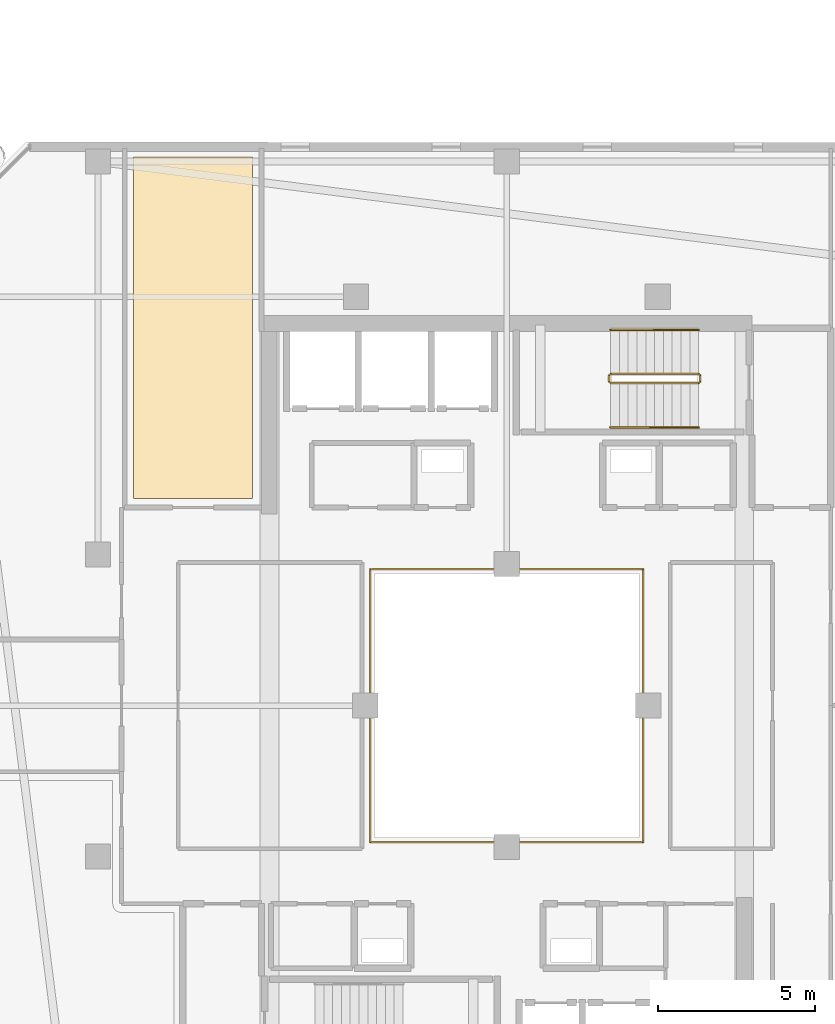
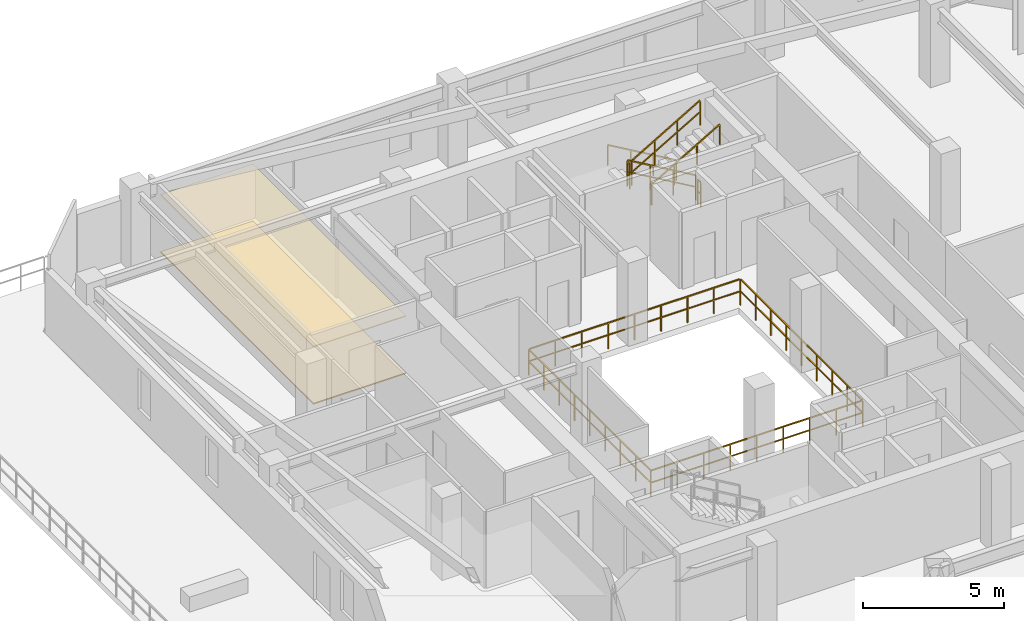
# One storey, part 29 of 31: 7 railings, 2 coverings.
"""IFC4 building model written with IfcOpenShell, lengths in metres."""

from ifc_helpers import new_model, si_unit, direction, frame, origin, origin_2d, place, context, subcontext, project, spatial, polyline, rectangle, outline, extrude, material, layer, layer_set, type_object, element, save


model = new_model("IFC4")

# Units and contexts
model_context = context("Model", 3, precision=1e-05, world=origin(), true_north=direction((0.0, 1.0)))
body_context = subcontext(model_context, "Body", "Model", "MODEL_VIEW")
ifc_project = project(units=[si_unit("LENGTHUNIT", "METRE"), si_unit("AREAUNIT", "SQUARE_METRE"), si_unit("VOLUMEUNIT", "CUBIC_METRE"), si_unit("PLANEANGLEUNIT", "RADIAN"), si_unit("MASSUNIT", "GRAM", prefix="KILO")], contexts=[model_context])

# Site, building, storey
site_placement = place(None, origin())
site = spatial("IfcSite", under=ifc_project, at=site_placement, CompositionType="ELEMENT")
building_placement = place(site_placement, origin())
building = spatial("IfcBuilding", under=site, at=building_placement, Name="Thornwick Lancets Civic Towers", CompositionType="ELEMENT")
storey_placement = place(building_placement, frame((0.0, 0.0, 254.699951171875)))
storey = spatial("IfcBuildingStorey", under=building, at=storey_placement, Name="L68", CompositionType="ELEMENT", Elevation=254.699951171875)

# Coverings
ifc_material_1 = material(Name="Perforated mineral acoustic ceiling tile")
ifc_layer_1 = layer(ifc_material_1, 0.0400390625, Name="Perforated mineral acoustic ceiling tile")
ifc_layer_set_1 = layer_set([ifc_layer_1], Name="Perforated mineral acoustic ceiling tile")
covering_type_1 = type_object("IfcCoveringType", Name="COV_CEIL_ACOUSTIC", PredefinedType="CEILING", material=ifc_layer_set_1)
covering_1_placement = place(storey_placement, frame((0.0, 0.0, 2.485107421875)))
element("IfcCovering", 1, at=covering_1_placement, inside=storey, type_object=covering_type_1, Name="L68 Tower A Diplomatic Conference Suite Ceiling", PredefinedType="CEILING", context=body_context, shape_type="SweptSolid", body=[
    extrude(outline(polyline([(13.6298828125, 33.580078125), (13.6298828125, 44.43994140625), (17.419921875, 44.43994140625), (17.419921875, 33.580078125), (13.6298828125, 33.580078125)])), origin(), (0.0, 0.0, 1.0), 0.0400390625),
])
ifc_material_2 = material(Name="Calcium-sulfate raised access floor panel")
ifc_layer_2 = layer(ifc_material_2, 0.050048828125, Name="Calcium-sulfate raised access floor panel")
ifc_layer_set_2 = layer_set([ifc_layer_2], Name="Calcium-sulfate raised access floor panel")
covering_type_2 = type_object("IfcCoveringType", Name="COV_FLOOR_RAISED", PredefinedType="FLOORING", material=ifc_layer_set_2)
covering_2_placement = place(storey_placement, origin())
element("IfcCovering", 2, at=covering_2_placement, inside=storey, type_object=covering_type_2, Name="L68 Tower A Diplomatic Conference Suite Raised Access Flooring", PredefinedType="FLOORING", context=body_context, shape_type="SweptSolid", body=[
    extrude(outline(polyline([(13.6298828125, 33.580078125), (13.6298828125, 44.43994140625), (17.419921875, 44.43994140625), (17.419921875, 33.580078125), (13.6298828125, 33.580078125)])), origin(), (0.0, 0.0, 1.0), 0.050048828125),
])

# Railings
ifc_material_3 = material(Name="Laminated glass and bronze steel S355", Category="steel")
railing_type_1 = type_object("IfcRailingType", Name="RAIL_ATRIUM_GUARD", PredefinedType="BALUSTRADE", material=ifc_material_3)
railing_1_placement = place(storey_placement, frame((21.159912109375, 22.659912109375, 0.0)))
element("IfcRailing", 3, at=railing_1_placement, inside=storey, type_object=railing_type_1, Name="L68 Tower A Central Atrium Guard Balustrade", PredefinedType="BALUSTRADE", context=body_context, shape_type="SweptSolid", body=[
    extrude(rectangle(XDim=0.048095703125, YDim=0.048095703125, at=origin_2d()), frame((0.0, 0.0, 1.1259765625), z_axis=(1.0, 0.0, 0.0), x_axis=(0.0, 1.0, 0.0)), (0.0, 0.0, 1.0), 8.64892578125),
    extrude(rectangle(XDim=0.0419921875, YDim=0.0419921875, at=origin_2d()), frame((0.03759765625, 0.0, 0.597900390625), z_axis=(1.0, 0.0, 0.0), x_axis=(0.0, 1.0, 0.0)), (0.0, 0.0, 1.0), 1.010009765625),
    extrude(rectangle(XDim=0.0419921875, YDim=0.0419921875, at=origin_2d()), frame((1.12255859375, 0.0, 0.597900390625), z_axis=(1.0, 0.0, 0.0), x_axis=(0.0, 1.0, 0.0)), (0.0, 0.0, 1.0), 1.010009765625),
    extrude(rectangle(XDim=0.0419921875, YDim=0.0419921875, at=origin_2d()), frame((2.20751953125, 0.0, 0.597900390625), z_axis=(1.0, 0.0, 0.0), x_axis=(0.0, 1.0, 0.0)), (0.0, 0.0, 1.0), 1.010009765625),
    extrude(rectangle(XDim=0.0419921875, YDim=0.0419921875, at=origin_2d()), frame((3.29248046875, 0.0, 0.597900390625), z_axis=(1.0, 0.0, 0.0), x_axis=(0.0, 1.0, 0.0)), (0.0, 0.0, 1.0), 1.010009765625),
    extrude(rectangle(XDim=0.0419921875, YDim=0.0419921875, at=origin_2d()), frame((4.377685546875, 0.0, 0.597900390625), z_axis=(1.0, 0.0, 0.0), x_axis=(0.0, 1.0, 0.0)), (0.0, 0.0, 1.0), 1.010009765625),
    extrude(rectangle(XDim=0.0419921875, YDim=0.0419921875, at=origin_2d()), frame((5.462646484375, 0.0, 0.597900390625), z_axis=(1.0, 0.0, 0.0), x_axis=(0.0, 1.0, 0.0)), (0.0, 0.0, 1.0), 1.010009765625),
    extrude(rectangle(XDim=0.0419921875, YDim=0.0419921875, at=origin_2d()), frame((6.547607421875, 0.0, 0.597900390625), z_axis=(1.0, 0.0, 0.0), x_axis=(0.0, 1.0, 0.0)), (0.0, 0.0, 1.0), 1.010009765625),
    extrude(rectangle(XDim=0.0419921875, YDim=0.0419921875, at=origin_2d()), frame((7.632568359375, 0.0, 0.597900390625), z_axis=(1.0, 0.0, 0.0), x_axis=(0.0, 1.0, 0.0)), (0.0, 0.0, 1.0), 1.010009765625),
    extrude(rectangle(XDim=0.048095703125, YDim=0.048095703125, at=origin_2d()), frame((8.68017578125, 0.03125, 1.1259765625), z_axis=(0.0, 1.0, 0.0), x_axis=(-1.0, 0.0, 0.0)), (0.0, 0.0, 1.0), 8.61767578125),
    extrude(rectangle(XDim=0.0419921875, YDim=0.0419921875, at=origin_2d()), frame((8.68017578125, 0.03759765625, 0.597900390625), z_axis=(0.0, 1.0, 0.0), x_axis=(-1.0, 0.0, 0.0)), (0.0, 0.0, 1.0), 1.010009765625),
    extrude(rectangle(XDim=0.0419921875, YDim=0.0419921875, at=origin_2d()), frame((8.68017578125, 1.12255859375, 0.597900390625), z_axis=(0.0, 1.0, 0.0), x_axis=(-1.0, 0.0, 0.0)), (0.0, 0.0, 1.0), 1.010009765625),
    extrude(rectangle(XDim=0.0419921875, YDim=0.0419921875, at=origin_2d()), frame((8.68017578125, 2.20751953125, 0.597900390625), z_axis=(0.0, 1.0, 0.0), x_axis=(-1.0, 0.0, 0.0)), (0.0, 0.0, 1.0), 1.010009765625),
    extrude(rectangle(XDim=0.0419921875, YDim=0.0419921875, at=origin_2d()), frame((8.68017578125, 3.29248046875, 0.597900390625), z_axis=(0.0, 1.0, 0.0), x_axis=(-1.0, 0.0, 0.0)), (0.0, 0.0, 1.0), 1.010009765625),
    extrude(rectangle(XDim=0.0419921875, YDim=0.0419921875, at=origin_2d()), frame((8.68017578125, 4.377685546875, 0.597900390625), z_axis=(0.0, 1.0, 0.0), x_axis=(-1.0, 0.0, 0.0)), (0.0, 0.0, 1.0), 1.010009765625),
    extrude(rectangle(XDim=0.0419921875, YDim=0.0419921875, at=origin_2d()), frame((8.68017578125, 5.462646484375, 0.597900390625), z_axis=(0.0, 1.0, 0.0), x_axis=(-1.0, 0.0, 0.0)), (0.0, 0.0, 1.0), 1.010009765625),
    extrude(rectangle(XDim=0.0419921875, YDim=0.0419921875, at=origin_2d()), frame((8.68017578125, 6.547607421875, 0.597900390625), z_axis=(0.0, 1.0, 0.0), x_axis=(-1.0, 0.0, 0.0)), (0.0, 0.0, 1.0), 1.010009765625),
    extrude(rectangle(XDim=0.0419921875, YDim=0.0419921875, at=origin_2d()), frame((8.68017578125, 7.632568359375, 0.597900390625), z_axis=(0.0, 1.0, 0.0), x_axis=(-1.0, 0.0, 0.0)), (0.0, 0.0, 1.0), 1.010009765625),
    extrude(rectangle(XDim=0.048095703125, YDim=0.048095703125, at=origin_2d()), frame((8.64892578125, 8.68017578125, 1.1259765625), z_axis=(-1.0, 0.0, 0.0), x_axis=(0.0, -1.0, 0.0)), (0.0, 0.0, 1.0), 8.61767578125),
    extrude(rectangle(XDim=0.0419921875, YDim=0.0419921875, at=origin_2d()), frame((8.642578125, 8.68017578125, 0.597900390625), z_axis=(-1.0, 0.0, 0.0), x_axis=(0.0, -1.0, 0.0)), (0.0, 0.0, 1.0), 1.010009765625),
    extrude(rectangle(XDim=0.0419921875, YDim=0.0419921875, at=origin_2d()), frame((7.5576171875, 8.68017578125, 0.597900390625), z_axis=(-1.0, 0.0, 0.0), x_axis=(0.0, -1.0, 0.0)), (0.0, 0.0, 1.0), 1.010009765625),
    extrude(rectangle(XDim=0.0419921875, YDim=0.0419921875, at=origin_2d()), frame((6.47265625, 8.68017578125, 0.597900390625), z_axis=(-1.0, 0.0, 0.0), x_axis=(0.0, -1.0, 0.0)), (0.0, 0.0, 1.0), 1.010009765625),
    extrude(rectangle(XDim=0.0419921875, YDim=0.0419921875, at=origin_2d()), frame((5.3876953125, 8.68017578125, 0.597900390625), z_axis=(-1.0, 0.0, 0.0), x_axis=(0.0, -1.0, 0.0)), (0.0, 0.0, 1.0), 1.010009765625),
    extrude(rectangle(XDim=0.0419921875, YDim=0.0419921875, at=origin_2d()), frame((4.302490234375, 8.68017578125, 0.597900390625), z_axis=(-1.0, 0.0, 0.0), x_axis=(0.0, -1.0, 0.0)), (0.0, 0.0, 1.0), 1.010009765625),
    extrude(rectangle(XDim=0.0419921875, YDim=0.0419921875, at=origin_2d()), frame((3.217529296875, 8.68017578125, 0.597900390625), z_axis=(-1.0, 0.0, 0.0), x_axis=(0.0, -1.0, 0.0)), (0.0, 0.0, 1.0), 1.010009765625),
    extrude(rectangle(XDim=0.0419921875, YDim=0.0419921875, at=origin_2d()), frame((2.132568359375, 8.68017578125, 0.597900390625), z_axis=(-1.0, 0.0, 0.0), x_axis=(0.0, -1.0, 0.0)), (0.0, 0.0, 1.0), 1.010009765625),
    extrude(rectangle(XDim=0.0419921875, YDim=0.0419921875, at=origin_2d()), frame((1.047607421875, 8.68017578125, 0.597900390625), z_axis=(-1.0, 0.0, 0.0), x_axis=(0.0, -1.0, 0.0)), (0.0, 0.0, 1.0), 1.010009765625),
    extrude(rectangle(XDim=0.048095703125, YDim=0.048095703125, at=origin_2d()), frame((0.0, 8.64892578125, 1.1259765625), z_axis=(0.0, -1.0, 0.0), x_axis=(1.0, 0.0, 0.0)), (0.0, 0.0, 1.0), 8.64892578125),
    extrude(rectangle(XDim=0.0419921875, YDim=0.0419921875, at=origin_2d()), frame((0.0, 8.642578125, 0.597900390625), z_axis=(0.0, -1.0, 0.0), x_axis=(1.0, 0.0, 0.0)), (0.0, 0.0, 1.0), 1.010009765625),
    extrude(rectangle(XDim=0.0419921875, YDim=0.0419921875, at=origin_2d()), frame((0.0, 7.5576171875, 0.597900390625), z_axis=(0.0, -1.0, 0.0), x_axis=(1.0, 0.0, 0.0)), (0.0, 0.0, 1.0), 1.010009765625),
    extrude(rectangle(XDim=0.0419921875, YDim=0.0419921875, at=origin_2d()), frame((0.0, 6.47265625, 0.597900390625), z_axis=(0.0, -1.0, 0.0), x_axis=(1.0, 0.0, 0.0)), (0.0, 0.0, 1.0), 1.010009765625),
    extrude(rectangle(XDim=0.0419921875, YDim=0.0419921875, at=origin_2d()), frame((0.0, 5.3876953125, 0.597900390625), z_axis=(0.0, -1.0, 0.0), x_axis=(1.0, 0.0, 0.0)), (0.0, 0.0, 1.0), 1.010009765625),
    extrude(rectangle(XDim=0.0419921875, YDim=0.0419921875, at=origin_2d()), frame((0.0, 4.302490234375, 0.597900390625), z_axis=(0.0, -1.0, 0.0), x_axis=(1.0, 0.0, 0.0)), (0.0, 0.0, 1.0), 1.010009765625),
    extrude(rectangle(XDim=0.0419921875, YDim=0.0419921875, at=origin_2d()), frame((0.0, 3.217529296875, 0.597900390625), z_axis=(0.0, -1.0, 0.0), x_axis=(1.0, 0.0, 0.0)), (0.0, 0.0, 1.0), 1.010009765625),
    extrude(rectangle(XDim=0.0419921875, YDim=0.0419921875, at=origin_2d()), frame((0.0, 2.132568359375, 0.597900390625), z_axis=(0.0, -1.0, 0.0), x_axis=(1.0, 0.0, 0.0)), (0.0, 0.0, 1.0), 1.010009765625),
    extrude(rectangle(XDim=0.0419921875, YDim=0.0419921875, at=origin_2d()), frame((0.0, 1.047607421875, 0.597900390625), z_axis=(0.0, -1.0, 0.0), x_axis=(1.0, 0.0, 0.0)), (0.0, 0.0, 1.0), 1.010009765625),
    extrude(rectangle(XDim=0.0419921875, YDim=0.0419921875, at=origin_2d()), origin(), (0.0, 0.0, 1.0), 1.095703125),
    extrude(rectangle(XDim=0.0419921875, YDim=0.0419921875, at=origin_2d()), frame((1.0849609375, 0.0, 0.0)), (0.0, 0.0, 1.0), 1.095703125),
    extrude(rectangle(XDim=0.0419921875, YDim=0.0419921875, at=origin_2d()), frame((2.169921875, 0.0, 0.0)), (0.0, 0.0, 1.0), 1.095703125),
    extrude(rectangle(XDim=0.0419921875, YDim=0.0419921875, at=origin_2d()), frame((3.255126953125, 0.0, 0.0)), (0.0, 0.0, 1.0), 1.095703125),
    extrude(rectangle(XDim=0.0419921875, YDim=0.0419921875, at=origin_2d()), frame((4.340087890625, 0.0, 0.0)), (0.0, 0.0, 1.0), 1.095703125),
    extrude(rectangle(XDim=0.0419921875, YDim=0.0419921875, at=origin_2d()), frame((5.425048828125, 0.0, 0.0)), (0.0, 0.0, 1.0), 1.095703125),
    extrude(rectangle(XDim=0.0419921875, YDim=0.0419921875, at=origin_2d()), frame((6.51025390625, 0.0, 0.0)), (0.0, 0.0, 1.0), 1.095703125),
    extrude(rectangle(XDim=0.0419921875, YDim=0.0419921875, at=origin_2d()), frame((7.59521484375, 0.0, 0.0)), (0.0, 0.0, 1.0), 1.095703125),
    extrude(rectangle(XDim=0.0419921875, YDim=0.0419921875, at=origin_2d()), frame((8.68017578125, 0.0, 0.0)), (0.0, 0.0, 1.0), 1.095703125),
    extrude(rectangle(XDim=0.0419921875, YDim=0.0419921875, at=origin_2d()), frame((8.68017578125, 1.0849609375, 0.0)), (0.0, 0.0, 1.0), 1.095703125),
    extrude(rectangle(XDim=0.0419921875, YDim=0.0419921875, at=origin_2d()), frame((8.68017578125, 2.169921875, 0.0)), (0.0, 0.0, 1.0), 1.095703125),
    extrude(rectangle(XDim=0.0419921875, YDim=0.0419921875, at=origin_2d()), frame((8.68017578125, 3.255126953125, 0.0)), (0.0, 0.0, 1.0), 1.095703125),
    extrude(rectangle(XDim=0.0419921875, YDim=0.0419921875, at=origin_2d()), frame((8.68017578125, 4.340087890625, 0.0)), (0.0, 0.0, 1.0), 1.095703125),
    extrude(rectangle(XDim=0.0419921875, YDim=0.0419921875, at=origin_2d()), frame((8.68017578125, 5.425048828125, 0.0)), (0.0, 0.0, 1.0), 1.095703125),
    extrude(rectangle(XDim=0.0419921875, YDim=0.0419921875, at=origin_2d()), frame((8.68017578125, 6.51025390625, 0.0)), (0.0, 0.0, 1.0), 1.095703125),
    extrude(rectangle(XDim=0.0419921875, YDim=0.0419921875, at=origin_2d()), frame((8.68017578125, 7.59521484375, 0.0)), (0.0, 0.0, 1.0), 1.095703125),
    extrude(rectangle(XDim=0.0419921875, YDim=0.0419921875, at=origin_2d()), frame((8.68017578125, 8.68017578125, 0.0)), (0.0, 0.0, 1.0), 1.095703125),
    extrude(rectangle(XDim=0.0419921875, YDim=0.0419921875, at=origin_2d()), frame((7.59521484375, 8.68017578125, 0.0)), (0.0, 0.0, 1.0), 1.095703125),
    extrude(rectangle(XDim=0.0419921875, YDim=0.0419921875, at=origin_2d()), frame((6.51025390625, 8.68017578125, 0.0)), (0.0, 0.0, 1.0), 1.095703125),
    extrude(rectangle(XDim=0.0419921875, YDim=0.0419921875, at=origin_2d()), frame((5.425048828125, 8.68017578125, 0.0)), (0.0, 0.0, 1.0), 1.095703125),
    extrude(rectangle(XDim=0.0419921875, YDim=0.0419921875, at=origin_2d()), frame((4.340087890625, 8.68017578125, 0.0)), (0.0, 0.0, 1.0), 1.095703125),
    extrude(rectangle(XDim=0.0419921875, YDim=0.0419921875, at=origin_2d()), frame((3.255126953125, 8.68017578125, 0.0)), (0.0, 0.0, 1.0), 1.095703125),
    extrude(rectangle(XDim=0.0419921875, YDim=0.0419921875, at=origin_2d()), frame((2.169921875, 8.68017578125, 0.0)), (0.0, 0.0, 1.0), 1.095703125),
    extrude(rectangle(XDim=0.0419921875, YDim=0.0419921875, at=origin_2d()), frame((1.0849609375, 8.68017578125, 0.0)), (0.0, 0.0, 1.0), 1.095703125),
    extrude(rectangle(XDim=0.0419921875, YDim=0.0419921875, at=origin_2d()), frame((0.0, 8.68017578125, 0.0)), (0.0, 0.0, 1.0), 1.095703125),
    extrude(rectangle(XDim=0.0419921875, YDim=0.0419921875, at=origin_2d()), frame((0.0, 7.59521484375, 0.0)), (0.0, 0.0, 1.0), 1.095703125),
    extrude(rectangle(XDim=0.0419921875, YDim=0.0419921875, at=origin_2d()), frame((0.0, 6.51025390625, 0.0)), (0.0, 0.0, 1.0), 1.095703125),
    extrude(rectangle(XDim=0.0419921875, YDim=0.0419921875, at=origin_2d()), frame((0.0, 5.425048828125, 0.0)), (0.0, 0.0, 1.0), 1.095703125),
    extrude(rectangle(XDim=0.0419921875, YDim=0.0419921875, at=origin_2d()), frame((0.0, 4.340087890625, 0.0)), (0.0, 0.0, 1.0), 1.095703125),
    extrude(rectangle(XDim=0.0419921875, YDim=0.0419921875, at=origin_2d()), frame((0.0, 3.255126953125, 0.0)), (0.0, 0.0, 1.0), 1.095703125),
    extrude(rectangle(XDim=0.0419921875, YDim=0.0419921875, at=origin_2d()), frame((0.0, 2.169921875, 0.0)), (0.0, 0.0, 1.0), 1.095703125),
    extrude(rectangle(XDim=0.0419921875, YDim=0.0419921875, at=origin_2d()), frame((0.0, 1.0849609375, 0.0)), (0.0, 0.0, 1.0), 1.095703125),
])
ifc_material_4 = material(Name="Brushed stainless steel S355", Category="steel")
railing_type_2 = type_object("IfcRailingType", Name="RAIL_HANDRAIL", PredefinedType="HANDRAIL", material=ifc_material_4)
railing_2_placement = place(storey_placement, frame((31.60009765625, 38.949951171875, 0.16357421875)))
element("IfcRailing", 4, at=railing_2_placement, inside=storey, type_object=railing_type_2, Name="L68 ST-A2 stair handrail 1", PredefinedType="HANDRAIL", context=body_context, shape_type="SweptSolid", body=[
    extrude(rectangle(XDim=0.048095703125, YDim=0.048095703125, at=origin_2d()), frame((0.0, 0.0, 0.8857421875), z_axis=(-0.863360870873, 0.0, 0.504586966384), x_axis=(0.0, -1.0, 0.0)), (0.0, 0.0, 1.0), 3.2431640625),
    extrude(rectangle(XDim=0.0419921875, YDim=0.0419921875, at=origin_2d()), origin(), (0.0, 0.0, 1.0), 0.855712890625),
    extrude(rectangle(XDim=0.0419921875, YDim=0.0419921875, at=origin_2d()), frame((-0.933349609375, 0.0, 0.54541015625)), (0.0, 0.0, 1.0), 0.855712890625),
    extrude(rectangle(XDim=0.0419921875, YDim=0.0419921875, at=origin_2d()), frame((-1.86669921875, 0.0, 1.091064453125)), (0.0, 0.0, 1.0), 0.855712890625),
    extrude(rectangle(XDim=0.0419921875, YDim=0.0419921875, at=origin_2d()), frame((-2.800048828125, 0.0, 1.636474609375)), (0.0, 0.0, 1.0), 0.855712890625),
])
railing_3_placement = place(storey_placement, frame((28.800048828125, 35.85009765625, 1.963623046875)))
element("IfcRailing", 5, at=railing_3_placement, inside=storey, type_object=railing_type_2, Name="L68 ST-A2 stair handrail 2", PredefinedType="HANDRAIL", context=body_context, shape_type="SweptSolid", body=[
    extrude(rectangle(XDim=0.048095703125, YDim=0.048095703125, at=origin_2d()), frame((0.0, 0.0, 0.8857421875), z_axis=(0.863360870873, 0.0, 0.504586966384), x_axis=(0.0, 1.0, 0.0)), (0.0, 0.0, 1.0), 3.2431640625),
    extrude(rectangle(XDim=0.0419921875, YDim=0.0419921875, at=origin_2d()), origin(), (0.0, 0.0, 1.0), 0.855712890625),
    extrude(rectangle(XDim=0.0419921875, YDim=0.0419921875, at=origin_2d()), frame((0.933349609375, 0.0, 0.54541015625)), (0.0, 0.0, 1.0), 0.855712890625),
    extrude(rectangle(XDim=0.0419921875, YDim=0.0419921875, at=origin_2d()), frame((1.86669921875, 0.0, 1.091064453125)), (0.0, 0.0, 1.0), 0.855712890625),
    extrude(rectangle(XDim=0.0419921875, YDim=0.0419921875, at=origin_2d()), frame((2.800048828125, 0.0, 1.636474609375)), (0.0, 0.0, 1.0), 0.855712890625),
])
ifc_material_5 = material(Name="Steel S355JR", Category="steel")
railing_type_3 = type_object("IfcRailingType", Name="RAIL_STAIR_GUARD", PredefinedType="GUARDRAIL", material=ifc_material_5)
railing_4_placement = place(storey_placement, frame((31.60009765625, 37.550048828125, 0.16357421875)))
element("IfcRailing", 6, at=railing_4_placement, inside=storey, type_object=railing_type_3, Name="L68 ST-A2 stair guard 1", PredefinedType="GUARDRAIL", context=body_context, shape_type="SweptSolid", body=[
    extrude(rectangle(XDim=0.048095703125, YDim=0.048095703125, at=origin_2d()), frame((0.0, 0.0, 1.076171875), z_axis=(-0.863360870873, 0.0, 0.504586966384), x_axis=(0.0, -1.0, 0.0)), (0.0, 0.0, 1.0), 3.2431640625),
    extrude(rectangle(XDim=0.0419921875, YDim=0.0419921875, at=origin_2d()), frame((-0.032470703125, 0.0, 0.591064453125), z_axis=(-0.863360870873, 0.0, 0.504586966384), x_axis=(0.0, -1.0, 0.0)), (0.0, 0.0, 1.0), 1.006103515625),
    extrude(rectangle(XDim=0.0419921875, YDim=0.0419921875, at=origin_2d()), frame((-0.9658203125, 0.0, 1.136474609375), z_axis=(-0.863360870873, 0.0, 0.504586966384), x_axis=(0.0, -1.0, 0.0)), (0.0, 0.0, 1.0), 1.006103515625),
    extrude(rectangle(XDim=0.0419921875, YDim=0.0419921875, at=origin_2d()), frame((-1.899169921875, 0.0, 1.681884765625), z_axis=(-0.863360870873, 0.0, 0.504586966384), x_axis=(0.0, -1.0, 0.0)), (0.0, 0.0, 1.0), 1.006103515625),
    extrude(rectangle(XDim=0.0419921875, YDim=0.0419921875, at=origin_2d()), origin(), (0.0, 0.0, 1.0), 1.0458984375),
    extrude(rectangle(XDim=0.0419921875, YDim=0.0419921875, at=origin_2d()), frame((-0.933349609375, 0.0, 0.54541015625)), (0.0, 0.0, 1.0), 1.0458984375),
    extrude(rectangle(XDim=0.0419921875, YDim=0.0419921875, at=origin_2d()), frame((-1.86669921875, 0.0, 1.091064453125)), (0.0, 0.0, 1.0), 1.0458984375),
    extrude(rectangle(XDim=0.0419921875, YDim=0.0419921875, at=origin_2d()), frame((-2.800048828125, 0.0, 1.636474609375)), (0.0, 0.0, 1.0), 1.0458984375),
])
railing_5_placement = place(storey_placement, frame((28.75, 37.5, 1.800048828125)))
element("IfcRailing", 7, at=railing_5_placement, inside=storey, type_object=railing_type_3, Name="L68 ST-A2 stair guard 2", PredefinedType="GUARDRAIL", context=body_context, shape_type="SweptSolid", body=[
    extrude(rectangle(XDim=0.048095703125, YDim=0.048095703125, at=origin_2d()), frame((0.0, 0.0, 1.076171875), z_axis=(0.0, -1.0, 0.0), x_axis=(1.0, 0.0, 0.0)), (0.0, 0.0, 1.0), 0.199951171875),
    extrude(rectangle(XDim=0.0419921875, YDim=0.0419921875, at=origin_2d()), frame((0.0, -0.03759765625, 0.572021484375), z_axis=(0.0, -1.0, 0.0), x_axis=(1.0, 0.0, 0.0)), (0.0, 0.0, 1.0), 0.125),
    extrude(rectangle(XDim=0.0419921875, YDim=0.0419921875, at=origin_2d()), origin(), (0.0, 0.0, 1.0), 1.0458984375),
    extrude(rectangle(XDim=0.0419921875, YDim=0.0419921875, at=origin_2d()), frame((0.0, -0.199951171875, 0.0)), (0.0, 0.0, 1.0), 1.0458984375),
])
railing_6_placement = place(storey_placement, frame((28.800048828125, 37.25, 1.963623046875)))
element("IfcRailing", 8, at=railing_6_placement, inside=storey, type_object=railing_type_3, Name="L68 ST-A2 stair guard 3", PredefinedType="GUARDRAIL", context=body_context, shape_type="SweptSolid", body=[
    extrude(rectangle(XDim=0.048095703125, YDim=0.048095703125, at=origin_2d()), frame((0.0, 0.0, 1.076171875), z_axis=(0.863360870873, 0.0, 0.504586966384), x_axis=(0.0, 1.0, 0.0)), (0.0, 0.0, 1.0), 3.2431640625),
    extrude(rectangle(XDim=0.0419921875, YDim=0.0419921875, at=origin_2d()), frame((0.032470703125, 0.0, 0.591064453125), z_axis=(0.863360870873, 0.0, 0.504586966384), x_axis=(0.0, 1.0, 0.0)), (0.0, 0.0, 1.0), 1.006103515625),
    extrude(rectangle(XDim=0.0419921875, YDim=0.0419921875, at=origin_2d()), frame((0.9658203125, 0.0, 1.136474609375), z_axis=(0.863360870873, 0.0, 0.504586966384), x_axis=(0.0, 1.0, 0.0)), (0.0, 0.0, 1.0), 1.006103515625),
    extrude(rectangle(XDim=0.0419921875, YDim=0.0419921875, at=origin_2d()), frame((1.899169921875, 0.0, 1.681884765625), z_axis=(0.863360870873, 0.0, 0.504586966384), x_axis=(0.0, 1.0, 0.0)), (0.0, 0.0, 1.0), 1.006103515625),
    extrude(rectangle(XDim=0.0419921875, YDim=0.0419921875, at=origin_2d()), origin(), (0.0, 0.0, 1.0), 1.0458984375),
    extrude(rectangle(XDim=0.0419921875, YDim=0.0419921875, at=origin_2d()), frame((0.933349609375, 0.0, 0.54541015625)), (0.0, 0.0, 1.0), 1.0458984375),
    extrude(rectangle(XDim=0.0419921875, YDim=0.0419921875, at=origin_2d()), frame((1.86669921875, 0.0, 1.091064453125)), (0.0, 0.0, 1.0), 1.0458984375),
    extrude(rectangle(XDim=0.0419921875, YDim=0.0419921875, at=origin_2d()), frame((2.800048828125, 0.0, 1.636474609375)), (0.0, 0.0, 1.0), 1.0458984375),
])
railing_7_placement = place(storey_placement, frame((31.64990234375, 37.5, 0.0)))
element("IfcRailing", 9, at=railing_7_placement, inside=storey, type_object=railing_type_3, Name="L68 ST-A2 stair guard 4", PredefinedType="GUARDRAIL", context=body_context, shape_type="SweptSolid", body=[
    extrude(rectangle(XDim=0.048095703125, YDim=0.048095703125, at=origin_2d()), frame((0.0, 0.0, 1.076171875), z_axis=(0.0, -1.0, 0.0), x_axis=(1.0, 0.0, 0.0)), (0.0, 0.0, 1.0), 0.199951171875),
    extrude(rectangle(XDim=0.0419921875, YDim=0.0419921875, at=origin_2d()), frame((0.0, -0.03759765625, 0.572021484375), z_axis=(0.0, -1.0, 0.0), x_axis=(1.0, 0.0, 0.0)), (0.0, 0.0, 1.0), 0.125),
    extrude(rectangle(XDim=0.0419921875, YDim=0.0419921875, at=origin_2d()), origin(), (0.0, 0.0, 1.0), 1.0458984375),
    extrude(rectangle(XDim=0.0419921875, YDim=0.0419921875, at=origin_2d()), frame((0.0, -0.199951171875, 0.0)), (0.0, 0.0, 1.0), 1.0458984375),
])

save(model, "model.ifc")
